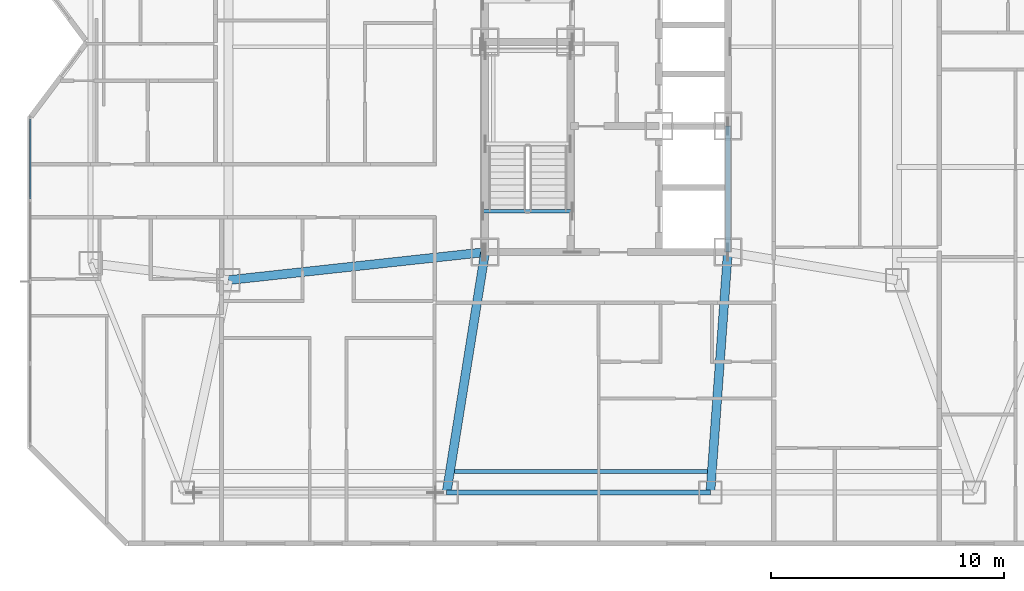
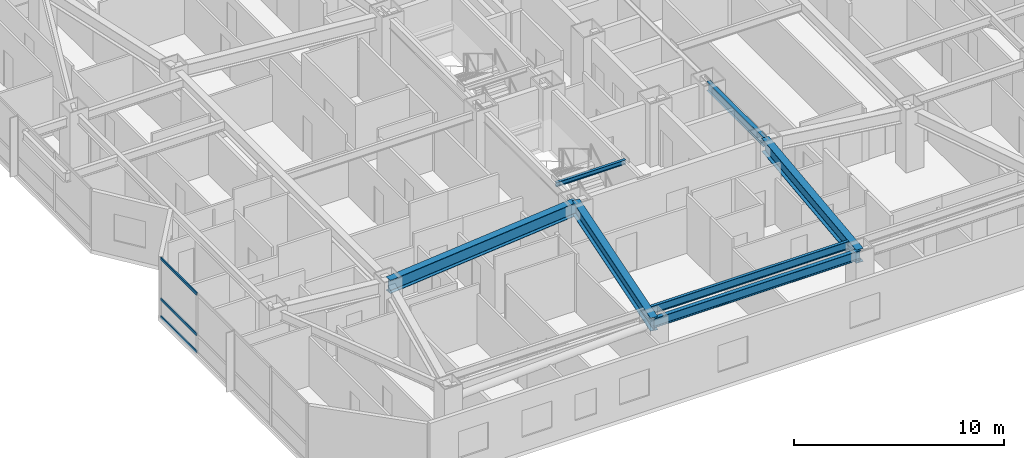
# One storey, part 5 of 21: 7 beams, 3 members, 1 element without a shape of its own.
"""IFC4 building model written with IfcOpenShell, lengths in metres."""

from ifc_helpers import new_model, si_unit, direction, frame, origin, origin_2d, place, context, subcontext, project, spatial, hollow_rectangle, i_section, extrude, material, material_profile, profile_set, type_object, element, aggregate, save


model = new_model("IFC4")

# Units and contexts
model_context = context("Model", 3, precision=1e-05, world=origin(), true_north=direction((0.0, 1.0)))
body_context = subcontext(model_context, "Body", "Model", "MODEL_VIEW")
ifc_project = project(units=[si_unit("LENGTHUNIT", "METRE"), si_unit("AREAUNIT", "SQUARE_METRE"), si_unit("VOLUMEUNIT", "CUBIC_METRE"), si_unit("PLANEANGLEUNIT", "RADIAN"), si_unit("MASSUNIT", "GRAM", prefix="KILO")], contexts=[model_context])

# Site, building, storey
site_placement = place(None, origin())
site = spatial("IfcSite", under=ifc_project, at=site_placement, CompositionType="ELEMENT")
building_placement = place(site_placement, origin())
building = spatial("IfcBuilding", under=site, at=building_placement, Name="Khamvora Tower", CompositionType="ELEMENT")
storey_placement = place(building_placement, frame((0.0, 0.0, 98.25)))
storey = spatial("IfcBuildingStorey", under=building, at=storey_placement, Name="L24", CompositionType="ELEMENT", Elevation=98.25)

# Beams
ifc_material_1 = material(Name="Steel S355", Category="steel")
ifc_material_profile_1 = material_profile(ifc_material_1, i_section(OverallWidth=0.154052734375, OverallDepth=0.458984375, WebThickness=0.009033203125, FlangeThickness=0.014892578125, FilletRadius=0.011962890625, at=origin_2d()), Name="W460x68")
ifc_profile_set_1 = profile_set([ifc_material_profile_1], Name="Steel S355")
beam_type_1 = type_object("IfcBeamType", Name="BM-JS-W460x68", PredefinedType="JOIST", material=ifc_profile_set_1)
beam_1_placement = place(storey_placement, frame((27.681884765625, 9.60009765625, 3.200927734375), z_axis=(1.0, 0.0, 0.0), x_axis=(0.0, 1.0, 0.0)))
element("IfcBeam", 1, at=beam_1_placement, inside=storey, type_object=beam_type_1, Name="L24 secondary floor joist 02", PredefinedType="JOIST", context=body_context, shape_type="SweptSolid", body=[
    extrude(i_section(OverallWidth=0.154052734375, OverallDepth=0.458984375, WebThickness=0.009033203125, FlangeThickness=0.014892578125, FilletRadius=0.011962890625, at=origin_2d()), origin(), (0.0, 0.0, 1.0), 10.84814453125),
])
ifc_material_profile_2 = material_profile(ifc_material_1, i_section(OverallWidth=0.14697265625, OverallDepth=0.261962890625, WebThickness=0.007080078125, FlangeThickness=0.010986328125, FilletRadius=0.008056640625, at=origin_2d()), Name="W250x39")
ifc_profile_set_2 = profile_set([ifc_material_profile_2], Name="Steel S355")
beam_type_2 = type_object("IfcBeamType", Name="BM-LN-W250x39", PredefinedType="LINTEL", material=ifc_profile_set_2)
beam_2_placement = place(storey_placement, frame((28.89990234375, 20.75, 3.303955078125), z_axis=(1.0, 0.0, 0.0), x_axis=(0.0, 1.0, 0.0)))
element("IfcBeam", 2, at=beam_2_placement, inside=storey, type_object=beam_type_2, Name="L24 exit stair ST-01 landing trimmer beam", PredefinedType="LINTEL", context=body_context, shape_type="SweptSolid", body=[
    extrude(i_section(OverallWidth=0.14697265625, OverallDepth=0.261962890625, WebThickness=0.007080078125, FlangeThickness=0.010986328125, FilletRadius=0.008056640625, at=origin_2d()), origin(), (0.0, 0.0, 1.0), 3.830078125),
])
ifc_material_profile_3 = material_profile(ifc_material_1, i_section(OverallWidth=0.381103515625, OverallDepth=0.77294921875, WebThickness=0.01708984375, FlangeThickness=0.027099609375, FilletRadius=0.01806640625, at=origin_2d()), Name="W760x257")
ifc_profile_set_3 = profile_set([ifc_material_profile_3], Name="Steel S355")
beam_type_3 = type_object("IfcBeamType", Name="BM-PG-W760x257", PredefinedType="BEAM", material=ifc_profile_set_3)
beam_3_placement = place(storey_placement, frame((29.0, 19.0, 3.0439453125), z_axis=(-0.158167584066, -0.987412282358, 0.0), x_axis=(0.987412282358, -0.158167584066, 0.0)))
element("IfcBeam", 3, at=beam_3_placement, inside=storey, type_object=beam_type_3, Name="L24 primary floor girder S2", PredefinedType="BEAM", context=body_context, shape_type="SweptSolid", body=[
    extrude(i_section(OverallWidth=0.381103515625, OverallDepth=0.77294921875, WebThickness=0.01708984375, FlangeThickness=0.027099609375, FilletRadius=0.01806640625, at=origin_2d()), origin(), (0.0, 0.0, 1.0), 10.431396484375),
])
beam_4_placement = place(storey_placement, frame((39.39990234375, 19.0, 3.0439453125), z_axis=(-0.07262291808, -0.997359469685, 0.0), x_axis=(0.997359469685, -0.07262291808, 0.0)))
element("IfcBeam", 4, at=beam_4_placement, inside=storey, type_object=beam_type_3, Name="L24 primary floor girder S3", PredefinedType="BEAM", context=body_context, shape_type="SweptSolid", body=[
    extrude(i_section(OverallWidth=0.381103515625, OverallDepth=0.77294921875, WebThickness=0.01708984375, FlangeThickness=0.027099609375, FilletRadius=0.01806640625, at=origin_2d()), origin(), (0.0, 0.0, 1.0), 10.327392578125),
])
beam_5_placement = place(storey_placement, frame((29.0, 19.0, 3.0439453125), z_axis=(-0.994102652327, -0.108443149329, 0.0), x_axis=(0.108443149329, -0.994102652327, 0.0)))
element("IfcBeam", 5, at=beam_5_placement, inside=storey, type_object=beam_type_3, Name="L24 primary floor girder MW1", PredefinedType="BEAM", context=body_context, shape_type="SweptSolid", body=[
    extrude(i_section(OverallWidth=0.381103515625, OverallDepth=0.77294921875, WebThickness=0.01708984375, FlangeThickness=0.027099609375, FilletRadius=0.01806640625, at=origin_2d()), origin(), (0.0, 0.0, 1.0), 11.065185546875),
])
ifc_material_profile_4 = material_profile(ifc_material_1, i_section(OverallWidth=0.2119140625, OverallDepth=0.5439453125, WebThickness=0.012939453125, FlangeThickness=0.02099609375, FilletRadius=0.013916015625, at=origin_2d()), Name="W530x123")
ifc_profile_set_4 = profile_set([ifc_material_profile_4], Name="Steel S355")
beam_type_4 = type_object("IfcBeamType", Name="BM-SP-W530x123", PredefinedType="SPANDREL", material=ifc_profile_set_4)
beam_6_placement = place(storey_placement, frame((27.35009765625, 8.699951171875, 3.157958984375), z_axis=(1.0, 0.0, 0.0), x_axis=(0.0, 1.0, 0.0)))
element("IfcBeam", 6, at=beam_6_placement, inside=storey, type_object=beam_type_4, Name="L24 perimeter spandrel beam S2-S3", PredefinedType="SPANDREL", context=body_context, shape_type="SweptSolid", body=[
    extrude(i_section(OverallWidth=0.2119140625, OverallDepth=0.5439453125, WebThickness=0.012939453125, FlangeThickness=0.02099609375, FilletRadius=0.013916015625, at=origin_2d()), origin(), (0.0, 0.0, 1.0), 11.2998046875),
])
ifc_material_profile_5 = material_profile(ifc_material_1, i_section(OverallWidth=0.208984375, OverallDepth=0.532958984375, WebThickness=0.010009765625, FlangeThickness=0.01611328125, FilletRadius=0.013916015625, at=origin_2d()), Name="W530x92")
ifc_profile_set_5 = profile_set([ifc_material_profile_5], Name="Steel S355")
beam_type_5 = type_object("IfcBeamType", Name="BM-SP-W530x92", PredefinedType="SPANDREL", material=ifc_profile_set_5)
beam_7_placement = place(storey_placement, frame((39.39990234375, 19.0, 3.1640625), z_axis=(0.0, 1.0, 0.0), x_axis=(-1.0, 0.0, 0.0)))
element("IfcBeam", 7, at=beam_7_placement, inside=storey, type_object=beam_type_5, Name="L24 core spine girder ES", PredefinedType="SPANDREL", context=body_context, shape_type="SweptSolid", body=[
    extrude(i_section(OverallWidth=0.208984375, OverallDepth=0.532958984375, WebThickness=0.010009765625, FlangeThickness=0.01611328125, FilletRadius=0.013916015625, at=origin_2d()), origin(), (0.0, 0.0, 1.0), 5.39990234375),
])

# Curtain wall, members
ifc_material_2 = material(Name="Anodised Aluminium 6063-T6", Category="aluminium")
curtain_wall_type = type_object("IfcCurtainWallType", Name="CW-SYS-03", PredefinedType="NOTDEFINED", material=ifc_material_2)
curtain_wall_placement = place(storey_placement, origin())
curtain_wall = element("IfcCurtainWall", 8, at=curtain_wall_placement, inside=storey, type_object=curtain_wall_type, Name="L24 stick curtain wall 02.1", PredefinedType="NOTDEFINED")
ifc_material_profile_6 = material_profile(ifc_material_2, hollow_rectangle(XDim=0.06494140625, YDim=0.155029296875, WallThickness=0.0048828125, at=origin_2d()), Name="TRN65x155x5")
ifc_profile_set_6 = profile_set([ifc_material_profile_6], Name="Anodised Aluminium 6063-T6")
member_type = type_object("IfcMemberType", Name="CW-SYS-03-TRN", PredefinedType="USERDEFINED", material=ifc_profile_set_6)
member_1_placement = place(storey_placement, frame((9.510009765625, 21.283935546875, 0.032470703125), z_axis=(0.0, 1.0, 0.0), x_axis=(-1.0, 0.0, 0.0)))
member_1 = element("IfcMember", 9, at=member_1_placement, type_object=member_type, Name="CW-03 transom 4.1", ObjectType="TRANSOM", PredefinedType="USERDEFINED", context=body_context, shape_type="SweptSolid", body=[
    extrude(hollow_rectangle(XDim=0.06494140625, YDim=0.155029296875, WallThickness=0.0048828125, at=origin_2d()), origin(), (0.0, 0.0, 1.0), 3.4140625),
])
member_2_placement = place(storey_placement, frame((9.510009765625, 21.283935546875, 1.050048828125), z_axis=(0.0, 1.0, 0.0), x_axis=(-1.0, 0.0, 0.0)))
member_2 = element("IfcMember", 10, at=member_2_placement, type_object=member_type, Name="CW-03 transom 4.2", ObjectType="TRANSOM", PredefinedType="USERDEFINED", context=body_context, shape_type="SweptSolid", body=[
    extrude(hollow_rectangle(XDim=0.06494140625, YDim=0.155029296875, WallThickness=0.0048828125, at=origin_2d()), origin(), (0.0, 0.0, 1.0), 3.4140625),
])
member_3_placement = place(storey_placement, frame((9.510009765625, 21.283935546875, 3.3974609375), z_axis=(0.0, 1.0, 0.0), x_axis=(-1.0, 0.0, 0.0)))
member_3 = element("IfcMember", 11, at=member_3_placement, type_object=member_type, Name="CW-03 transom 4.3", ObjectType="TRANSOM", PredefinedType="USERDEFINED", context=body_context, shape_type="SweptSolid", body=[
    extrude(hollow_rectangle(XDim=0.06494140625, YDim=0.155029296875, WallThickness=0.0048828125, at=origin_2d()), origin(), (0.0, 0.0, 1.0), 3.4140625),
])
aggregate(curtain_wall, [member_1, member_2, member_3])

save(model, "model.ifc")
